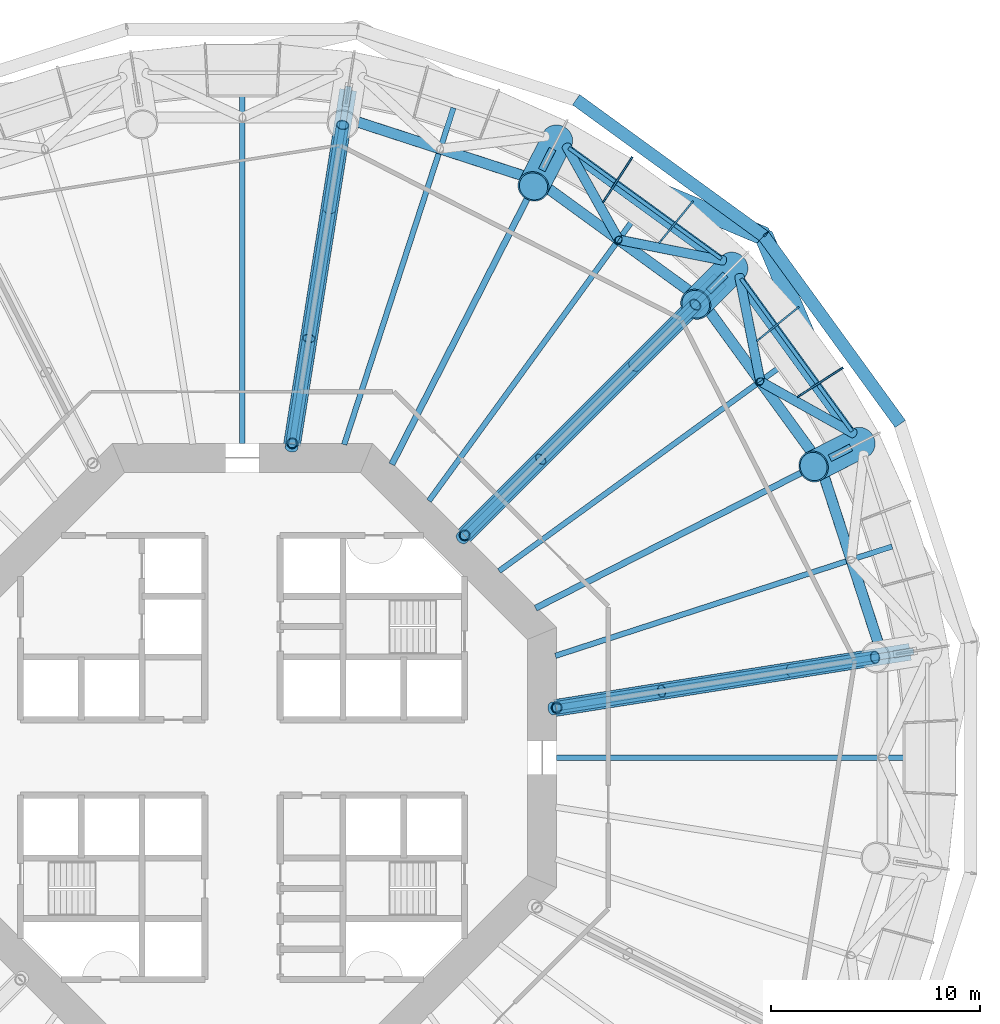
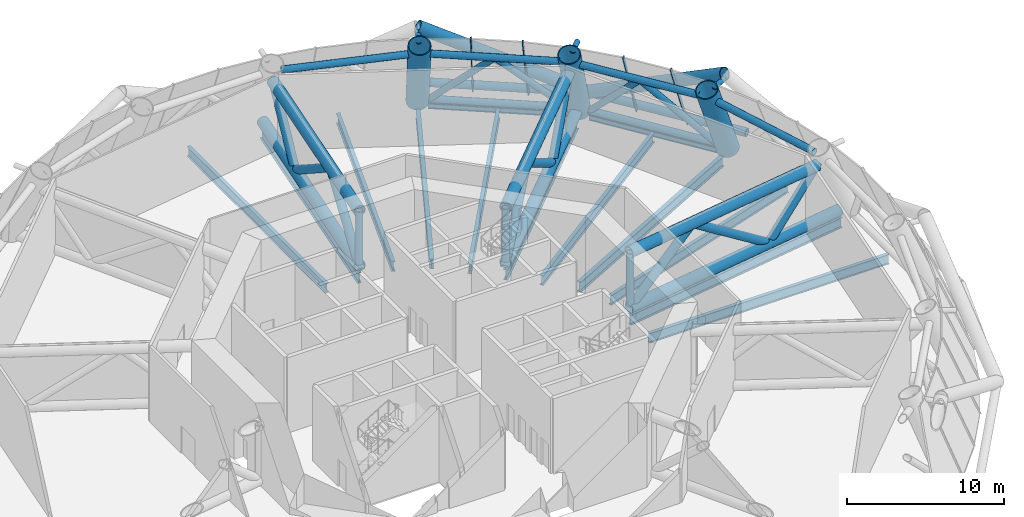
# One storey, part 5 of 14: 42 members, 13 beams, 2 elements without a shape of their own.
"""IFC4 building model written with IfcOpenShell, lengths in metres."""

from ifc_helpers import new_model, si_unit, direction, frame, origin, origin_2d, place, context, subcontext, project, spatial, rectangle, circle, hollow_circle, i_section, extrude, material, layer, layer_set, material_profile, profile_set, type_object, element, aggregate, save


model = new_model("IFC4")

# Units and contexts
model_context = context("Model", 3, precision=1e-05, world=origin(), true_north=direction((0.0, 1.0)))
body_context = subcontext(model_context, "Body", "Model", "MODEL_VIEW")
ifc_project = project(units=[si_unit("LENGTHUNIT", "METRE"), si_unit("AREAUNIT", "SQUARE_METRE"), si_unit("VOLUMEUNIT", "CUBIC_METRE"), si_unit("PLANEANGLEUNIT", "RADIAN"), si_unit("MASSUNIT", "GRAM", prefix="KILO")], contexts=[model_context])

# Site, building, storey
site_placement = place(None, origin())
site = spatial("IfcSite", under=ifc_project, at=site_placement, CompositionType="ELEMENT")
building_placement = place(site_placement, origin())
building = spatial("IfcBuilding", under=site, at=building_placement, Name="Entoto Ring Tower", CompositionType="ELEMENT")
storey_placement = place(building_placement, frame((0.0, 0.0, 74.0)))
storey = spatial("IfcBuildingStorey", under=building, at=storey_placement, Name="L16", CompositionType="ELEMENT", Elevation=74.0)

# Members
ifc_material_1 = material(Name="Steel S355", Category="steel")
ifc_material_profile_1 = material_profile(ifc_material_1, hollow_circle(Radius=0.449951171875, WallThickness=0.044921875, at=origin_2d()), Name="CHS 900 x 45")
ifc_material_2 = material(Name="Concrete C60/75", Category="concrete")
ifc_material_profile_2 = material_profile(ifc_material_2, circle(Radius=0.405029296875, at=origin_2d()), Name="Concrete C60/75 infill")
ifc_profile_set_1 = profile_set([ifc_material_profile_1, ifc_material_profile_2], Name="Steel S355")
member_type_1 = type_object("IfcMemberType", Name="Diagrid diagonal 900 x 45 concrete-filled tube", PredefinedType="BRACE", material=ifc_profile_set_1)
for number, where, z_axis, x_axis, name in (
    (1, (114.89013671875, 104.89013671875, 0.0), (0.34111981915, -0.807008954016, 0.482051674742), (0.92109296129, 0.389342723909, 0.0), "DG2 module 5 03"),
    (2, (114.89013671875, 104.89013671875, 0.0), (-0.807008954016, 0.34111981915, 0.482051674742), (-0.389342723909, -0.92109296129, 0.0), "DG2 module 5 04"),
):
    element("IfcMember", number, at=place(storey_placement, frame(where, z_axis=z_axis, x_axis=x_axis)), inside=storey, type_object=member_type_1, Name=name, PredefinedType="BRACE", context=body_context, shape_type="SweptSolid", body=[
        extrude(hollow_circle(Radius=0.449951171875, WallThickness=0.044921875, at=origin_2d()), origin(), (0.0, 0.0, 1.0), 12.44677734375),
    ])
ifc_material_3 = material(Name="Steel S355", Category="steel")
ifc_material_profile_3 = material_profile(ifc_material_3, hollow_circle(Radius=0.177734375, WallThickness=0.01611328125, at=origin_2d()), Name="CHS 355.6 x 16")
ifc_material_4 = material(Name="Concrete C60/75", Category="concrete")
ifc_material_profile_4 = material_profile(ifc_material_4, circle(Radius=0.161865234375, at=origin_2d()), Name="Concrete C60/75 infill")
ifc_profile_set_2 = profile_set([ifc_material_profile_3, ifc_material_profile_4], Name="Steel S355")
member_type_2 = type_object("IfcMemberType", Name="Diagrid node strut 355.6 x 16", PredefinedType="STRUT", material=ifc_profile_set_2)
for number, where, z_axis, x_axis, name in (
    (3, (118.036865234375, 94.28564453125, 5.672119140625), (0.891085517707, 0.453835432876, 0.0), (-0.453835432876, 0.891085517707, 0.0), "DS1 strut ring 5 01"),
    (4, (112.250244140625, 102.250244140625, 5.672119140625), (0.707106781187, 0.707106781187, 0.0), (-0.707106781187, 0.707106781187, 0.0), "DS1 strut ring 5 02"),
    (5, (104.28564453125, 108.036865234375, 5.672119140625), (0.453835432876, 0.891085517707, 0.0), (-0.891085517707, 0.453835432876, 0.0), "DS1 strut ring 5 03"),
):
    element("IfcMember", number, at=place(storey_placement, frame(where, z_axis=z_axis, x_axis=x_axis)), inside=storey, type_object=member_type_2, Name=name, PredefinedType="STRUT", context=body_context, shape_type="SweptSolid", body=[
        extrude(hollow_circle(Radius=0.177734375, WallThickness=0.01611328125, at=origin_2d()), origin(), (0.0, 0.0, 1.0), 1.133544921875),
    ])
ifc_material_5 = material(Name="Steel S355", Category="steel")
ifc_material_profile_5 = material_profile(ifc_material_5, hollow_circle(Radius=0.300048828125, WallThickness=0.030029296875, at=origin_2d()), Name="CHS 600 x 30")
ifc_material_6 = material(Name="Concrete C60/75", Category="concrete")
ifc_material_profile_6 = material_profile(ifc_material_6, circle(Radius=0.27001953125, at=origin_2d()), Name="Concrete C60/75 infill")
ifc_profile_set_3 = profile_set([ifc_material_profile_5, ifc_material_profile_6], Name="Steel S355")
member_type_3 = type_object("IfcMemberType", Name="Diagrid ring beam 600 x 30", PredefinedType="CHORD", material=ifc_profile_set_3)
for number, where, z_axis, x_axis, name in (
    (6, (121.403076171875, 95.92578125, 0.0), (-0.587771863556, 0.809026721692, 0.0), (-0.809026721692, -0.587771863556, 0.0), "DR1 ring 4 02"),
    (7, (114.94482421875, 104.8505859375, 0.0), (-0.809026721692, 0.587771863556, 0.0), (-0.587771863556, -0.809026721692, 0.0), "DR1 ring 4 03"),
):
    element("IfcMember", number, at=place(storey_placement, frame(where, z_axis=z_axis, x_axis=x_axis)), inside=storey, type_object=member_type_3, Name=name, PredefinedType="CHORD", context=body_context, shape_type="SweptSolid", body=[
        extrude(hollow_circle(Radius=0.300048828125, WallThickness=0.030029296875, at=origin_2d()), origin(), (0.0, 0.0, 1.0), 11.14794921875),
    ])

# Beams
ifc_material_7 = material(Name="Steel S355", Category="steel")
ifc_material_profile_7 = material_profile(ifc_material_7, i_section(OverallWidth=0.179931640625, OverallDepth=0.39990234375, WebThickness=0.008544921875, FlangeThickness=0.013427734375, FilletRadius=0.02099609375, at=origin_2d()), Name="IPE 400")
ifc_profile_set_4 = profile_set([ifc_material_profile_7], Name="Steel S355")
beam_type_1 = type_object("IfcBeamType", Name="Edge beam IPE 400", PredefinedType="SPANDREL", material=ifc_profile_set_4)
for number, where, z_axis, x_axis, name in (
    (8, (119.09619140625, 95.572509765625, -0.35009765625), (-0.587792917156, 0.80901142547, 0.0), (-0.80901142547, -0.587792917156, 0.0), "Edge beam L16 02"),
    (9, (112.85986328125, 103.801513671875, -0.35009765625), (-0.80901142547, 0.587792917156, 0.0), (-0.587792917156, -0.80901142547, 0.0), "Edge beam L16 03"),
):
    element("IfcBeam", number, at=place(storey_placement, frame(where, z_axis=z_axis, x_axis=x_axis)), inside=storey, type_object=beam_type_1, Name=name, PredefinedType="SPANDREL", context=body_context, shape_type="SweptSolid", body=[
        extrude(i_section(OverallWidth=0.179931640625, OverallDepth=0.39990234375, WebThickness=0.008544921875, FlangeThickness=0.013427734375, FilletRadius=0.02099609375, at=origin_2d()), origin(), (0.0, 0.0, 1.0), 9.0078125),
    ])

# Curtain wall, members
ifc_material_8 = material(Name="Anodised aluminium", Category="aluminium")
ifc_layer = layer(ifc_material_8, 0.10009765625)
ifc_layer_set = layer_set([ifc_layer], Name="Anodised aluminium")
curtain_wall_type = type_object("IfcCurtainWallType", Name="Louvre curtain wall system CW7", PredefinedType="NOTDEFINED", material=ifc_layer_set)
curtain_wall_1_placement = place(storey_placement, origin())
curtain_wall_1 = element("IfcCurtainWall", 10, at=curtain_wall_1_placement, inside=storey, type_object=curtain_wall_type, Name="CW7 L16-02", PredefinedType="NOTDEFINED")
ifc_material_9 = material(Name="Anodised aluminium", Category="aluminium")
ifc_material_profile_8 = material_profile(ifc_material_9, rectangle(XDim=0.080078125, YDim=0.199951171875, at=origin_2d()), Name="Mullion 80 x 200 mm anodised aluminium")
ifc_profile_set_5 = profile_set([ifc_material_profile_8], Name="Anodised aluminium")
member_type_4 = type_object("IfcMemberType", Name="Mullion 80 x 200 mm anodised aluminium", PredefinedType="MULLION", material=ifc_profile_set_5)
member_1_placement = place(storey_placement, frame((118.59228515625, 98.568115234375, 0.03857421875), z_axis=(-0.322563051143, -0.20951178694, 0.923069818145), x_axis=(0.544706497232, -0.838626753611, 0.0)))
member_1 = element("IfcMember", 11, at=member_1_placement, type_object=member_type_4, Name="MULLION L16-04", PredefinedType="MULLION", context=body_context, shape_type="SweptSolid", body=[
    extrude(rectangle(XDim=0.080078125, YDim=0.199951171875, at=origin_2d()), origin(), (0.0, 0.0, 1.0), 6.254150390625),
])
member_2_placement = place(storey_placement, frame((116.49462890625, 101.455078125, 0.03857421875), z_axis=(-0.298906561936, -0.24206864184, 0.923069683106), x_axis=(0.629350037127, -0.777121953601, 0.0)))
member_2 = element("IfcMember", 12, at=member_2_placement, type_object=member_type_4, Name="MULLION L16-05", PredefinedType="MULLION", context=body_context, shape_type="SweptSolid", body=[
    extrude(rectangle(XDim=0.080078125, YDim=0.199951171875, at=origin_2d()), origin(), (0.0, 0.0, 1.0), 6.254150390625),
])
aggregate(curtain_wall_1, [member_1, member_2])

curtain_wall_2_placement = place(storey_placement, origin())
curtain_wall_2 = element("IfcCurtainWall", 13, at=curtain_wall_2_placement, inside=storey, type_object=curtain_wall_type, Name="CW7 L16-03", PredefinedType="NOTDEFINED")
member_3_placement = place(storey_placement, frame((111.455078125, 106.49462890625, 0.03857421875), z_axis=(-0.24206864184, -0.298906561936, 0.923069683106), x_axis=(0.777121953601, -0.629350037127, 0.0)))
member_3 = element("IfcMember", 14, at=member_3_placement, type_object=member_type_4, Name="MULLION L16-07", PredefinedType="MULLION", context=body_context, shape_type="SweptSolid", body=[
    extrude(rectangle(XDim=0.080078125, YDim=0.199951171875, at=origin_2d()), origin(), (0.0, 0.0, 1.0), 6.254150390625),
])
member_4_placement = place(storey_placement, frame((108.568115234375, 108.59228515625, 0.03857421875), z_axis=(-0.20951178694, -0.322563051143, 0.923069818145), x_axis=(0.838626753611, -0.544706497232, 0.0)))
member_4 = element("IfcMember", 15, at=member_4_placement, type_object=member_type_4, Name="MULLION L16-08", PredefinedType="MULLION", context=body_context, shape_type="SweptSolid", body=[
    extrude(rectangle(XDim=0.080078125, YDim=0.199951171875, at=origin_2d()), origin(), (0.0, 0.0, 1.0), 6.254150390625),
])
aggregate(curtain_wall_2, [member_3, member_4])

# Members
ifc_material_10 = material(Name="Steel S355", Category="steel")
ifc_material_profile_9 = material_profile(ifc_material_10, hollow_circle(Radius=0.406494140625, WallThickness=0.044921875, at=origin_2d()), Name="CHS 813 x 45")
ifc_material_11 = material(Name="Concrete C60/75", Category="concrete")
ifc_material_profile_10 = material_profile(ifc_material_11, circle(Radius=0.361572265625, at=origin_2d()), Name="Concrete C60/75 infill")
ifc_profile_set_6 = profile_set([ifc_material_profile_9, ifc_material_profile_10], Name="Steel S355")
member_type_5 = type_object("IfcMemberType", Name="Outrigger chord 813 x 45", PredefinedType="CHORD", material=ifc_profile_set_6)
member_5_placement = place(storey_placement, frame((104.916748046875, 82.362548828125, 0.406494140625), z_axis=(0.987687660853, 0.156438756703, 0.0), x_axis=(-0.156438756703, 0.987687660853, 0.0)))
element("IfcMember", 16, at=member_5_placement, inside=storey, type_object=member_type_5, Name="OR1A L16 bottom 01", PredefinedType="CHORD", context=body_context, shape_type="SweptSolid", body=[
    extrude(hollow_circle(Radius=0.406494140625, WallThickness=0.044921875, at=origin_2d()), origin(), (0.0, 0.0, 1.0), 17.165283203125),
])
member_6_placement = place(storey_placement, frame((104.916748046875, 82.362548828125, 4.6904296875), z_axis=(0.987688332369, 0.156434516979, 0.0), x_axis=(-0.156434516979, 0.987688332369, 0.0)))
element("IfcMember", 17, at=member_6_placement, inside=storey, type_object=member_type_5, Name="OR1A L16 top 01", PredefinedType="CHORD", context=body_context, shape_type="SweptSolid", body=[
    extrude(hollow_circle(Radius=0.406494140625, WallThickness=0.044921875, at=origin_2d()), origin(), (0.0, 0.0, 1.0), 15.38037109375),
])
member_7_placement = place(storey_placement, frame((100.592529296875, 90.592529296875, 0.406494140625), z_axis=(0.707106781187, 0.707106781187, 0.0), x_axis=(-0.707106781187, 0.707106781187, 0.0)))
element("IfcMember", 18, at=member_7_placement, inside=storey, type_object=member_type_5, Name="OR1A L16 bottom 02", PredefinedType="CHORD", context=body_context, shape_type="SweptSolid", body=[
    extrude(hollow_circle(Radius=0.406494140625, WallThickness=0.044921875, at=origin_2d()), origin(), (0.0, 0.0, 1.0), 17.287841796875),
])
member_8_placement = place(storey_placement, frame((100.592529296875, 90.592529296875, 4.6904296875), z_axis=(0.707106781187, 0.707106781187, 0.0), x_axis=(-0.707106781187, 0.707106781187, 0.0)))
element("IfcMember", 19, at=member_8_placement, inside=storey, type_object=member_type_5, Name="OR1A L16 top 02", PredefinedType="CHORD", context=body_context, shape_type="SweptSolid", body=[
    extrude(hollow_circle(Radius=0.406494140625, WallThickness=0.044921875, at=origin_2d()), origin(), (0.0, 0.0, 1.0), 15.5029296875),
])
member_9_placement = place(storey_placement, frame((92.362548828125, 94.916748046875, 0.406494140625), z_axis=(0.156438756703, 0.987687660853, 0.0), x_axis=(-0.987687660853, 0.156438756703, 0.0)))
element("IfcMember", 20, at=member_9_placement, inside=storey, type_object=member_type_5, Name="OR1A L16 bottom 03", PredefinedType="CHORD", context=body_context, shape_type="SweptSolid", body=[
    extrude(hollow_circle(Radius=0.406494140625, WallThickness=0.044921875, at=origin_2d()), origin(), (0.0, 0.0, 1.0), 17.165283203125),
])
member_10_placement = place(storey_placement, frame((92.362548828125, 94.916748046875, 4.6904296875), z_axis=(0.156434516979, 0.987688332369, 0.0), x_axis=(-0.987688332369, 0.156434516979, 0.0)))
element("IfcMember", 21, at=member_10_placement, inside=storey, type_object=member_type_5, Name="OR1A L16 top 03", PredefinedType="CHORD", context=body_context, shape_type="SweptSolid", body=[
    extrude(hollow_circle(Radius=0.406494140625, WallThickness=0.044921875, at=origin_2d()), origin(), (0.0, 0.0, 1.0), 15.38037109375),
])
ifc_material_12 = material(Name="Steel S355", Category="steel")
ifc_material_profile_11 = material_profile(ifc_material_12, hollow_circle(Radius=0.304931640625, WallThickness=0.035888671875, at=origin_2d()), Name="CHS 610 x 36")
ifc_material_13 = material(Name="Concrete C60/75", Category="concrete")
ifc_material_profile_12 = material_profile(ifc_material_13, circle(Radius=0.26904296875, at=origin_2d()), Name="Concrete C60/75 infill")
ifc_profile_set_7 = profile_set([ifc_material_profile_11, ifc_material_profile_12], Name="Steel S355")
member_type_6 = type_object("IfcMemberType", Name="Outrigger diagonal 610 x 36", PredefinedType="BRACE", material=ifc_profile_set_7)
member_11_placement = place(storey_placement, frame((104.78466796875, 82.341552734375, 0.222412109375), z_axis=(0.754411774533, 0.119487031561, 0.645434523198), x_axis=(-0.156434394639, 0.987688351746, 0.0)))
element("IfcMember", 22, at=member_11_placement, inside=storey, type_object=member_type_6, Name="OR2A L16 01 1", PredefinedType="BRACE", context=body_context, shape_type="SweptSolid", body=[
    extrude(hollow_circle(Radius=0.304931640625, WallThickness=0.035888671875, at=origin_2d()), origin(), (0.0, 0.0, 1.0), 6.922607421875),
])
member_12_placement = place(storey_placement, frame((110.007080078125, 83.168701171875, 4.6904296875), z_axis=(0.815085809965, 0.129099241185, -0.564772970599), x_axis=(-0.15643722095, 0.987687904098, 0.0)))
element("IfcMember", 23, at=member_12_placement, inside=storey, type_object=member_type_6, Name="OR2A L16 01 2", PredefinedType="BRACE", context=body_context, shape_type="SweptSolid", body=[
    extrude(hollow_circle(Radius=0.304931640625, WallThickness=0.035888671875, at=origin_2d()), origin(), (0.0, 0.0, 1.0), 7.585205078125),
])
member_13_placement = place(storey_placement, frame((116.189697265625, 84.14794921875, 0.406494140625), z_axis=(0.662980056613, 0.105036143269, 0.741231983349), x_axis=(-0.156478671543, 0.987681337959, 0.0)))
element("IfcMember", 24, at=member_13_placement, inside=storey, type_object=member_type_6, Name="OR2A L16 01 3", PredefinedType="BRACE", context=body_context, shape_type="SweptSolid", body=[
    extrude(hollow_circle(Radius=0.304931640625, WallThickness=0.035888671875, at=origin_2d()), origin(), (0.0, 0.0, 1.0), 6.043212890625),
])
member_14_placement = place(storey_placement, frame((100.45751953125, 90.45751953125, 0.23046875), z_axis=(0.542827362874, 0.542827362874, 0.640840782278), x_axis=(-0.707106781187, 0.707106781187, 0.0)))
element("IfcMember", 25, at=member_14_placement, inside=storey, type_object=member_type_6, Name="OR2A L16 02 1", PredefinedType="BRACE", context=body_context, shape_type="SweptSolid", body=[
    extrude(hollow_circle(Radius=0.304931640625, WallThickness=0.035888671875, at=origin_2d()), origin(), (0.0, 0.0, 1.0), 6.95947265625),
])
member_15_placement = place(storey_placement, frame((104.2353515625, 94.2353515625, 4.6904296875), z_axis=(0.585366728499, 0.585366728499, -0.560973783997), x_axis=(-0.707106781187, 0.707106781187, 0.0)))
element("IfcMember", 26, at=member_15_placement, inside=storey, type_object=member_type_6, Name="OR2A L16 02 2", PredefinedType="BRACE", context=body_context, shape_type="SweptSolid", body=[
    extrude(hollow_circle(Radius=0.304931640625, WallThickness=0.035888671875, at=origin_2d()), origin(), (0.0, 0.0, 1.0), 7.63671875),
])
member_16_placement = place(storey_placement, frame((108.70556640625, 98.70556640625, 0.406494140625), z_axis=(0.478793343144, 0.478793343144, 0.735876259382), x_axis=(-0.707106781187, 0.707106781187, 0.0)))
element("IfcMember", 27, at=member_16_placement, inside=storey, type_object=member_type_6, Name="OR2A L16 02 3", PredefinedType="BRACE", context=body_context, shape_type="SweptSolid", body=[
    extrude(hollow_circle(Radius=0.304931640625, WallThickness=0.035888671875, at=origin_2d()), origin(), (0.0, 0.0, 1.0), 6.08056640625),
])
member_17_placement = place(storey_placement, frame((92.341552734375, 94.78466796875, 0.222412109375), z_axis=(0.119487031561, 0.754411774533, 0.645434523198), x_axis=(-0.987688351746, 0.156434394639, 0.0)))
element("IfcMember", 28, at=member_17_placement, inside=storey, type_object=member_type_6, Name="OR2A L16 03 1", PredefinedType="BRACE", context=body_context, shape_type="SweptSolid", body=[
    extrude(hollow_circle(Radius=0.304931640625, WallThickness=0.035888671875, at=origin_2d()), origin(), (0.0, 0.0, 1.0), 6.922607421875),
])
member_18_placement = place(storey_placement, frame((93.168701171875, 100.007080078125, 4.6904296875), z_axis=(0.129099241185, 0.815085809965, -0.564772970599), x_axis=(-0.987687904098, 0.15643722095, 0.0)))
element("IfcMember", 29, at=member_18_placement, inside=storey, type_object=member_type_6, Name="OR2A L16 03 2", PredefinedType="BRACE", context=body_context, shape_type="SweptSolid", body=[
    extrude(hollow_circle(Radius=0.304931640625, WallThickness=0.035888671875, at=origin_2d()), origin(), (0.0, 0.0, 1.0), 7.585205078125),
])
member_19_placement = place(storey_placement, frame((94.14794921875, 106.189697265625, 0.406494140625), z_axis=(0.105036143269, 0.662980056613, 0.741231983349), x_axis=(-0.987681337959, 0.156478671543, 0.0)))
element("IfcMember", 30, at=member_19_placement, inside=storey, type_object=member_type_6, Name="OR2A L16 03 3", PredefinedType="BRACE", context=body_context, shape_type="SweptSolid", body=[
    extrude(hollow_circle(Radius=0.304931640625, WallThickness=0.035888671875, at=origin_2d()), origin(), (0.0, 0.0, 1.0), 6.043212890625),
])
ifc_material_14 = material(Name="Steel S355", Category="steel")
ifc_material_profile_13 = material_profile(ifc_material_14, hollow_circle(Radius=0.25390625, WallThickness=0.030029296875, at=origin_2d()), Name="CHS 508 x 30")
ifc_material_15 = material(Name="Concrete C60/75", Category="concrete")
ifc_material_profile_14 = material_profile(ifc_material_15, circle(Radius=0.22412109375, at=origin_2d()), Name="Concrete C60/75 infill")
ifc_profile_set_8 = profile_set([ifc_material_profile_13, ifc_material_profile_14], Name="Steel S355")
member_type_7 = type_object("IfcMemberType", Name="Outrigger post 508 x 30", PredefinedType="POST", material=ifc_profile_set_8)
for number, where, z_axis, x_axis, name in (
    (31, (105.0, 82.375732421875, 0.406494140625), (0.0, 0.0, 1.0), (1.0, 0.0, 0.0), "OR3 L16 01"),
    (32, (100.606689453125, 90.606689453125, 0.406494140625), (0.0, 0.0, 1.0), (1.0, 0.0, 0.0), "OR3 L16 02"),
    (33, (92.375732421875, 95.0, 0.406494140625), (0.0, 0.0, 1.0), (1.0, 0.0, 0.0), "OR3 L16 03"),
):
    element("IfcMember", number, at=place(storey_placement, frame(where, z_axis=z_axis, x_axis=x_axis)), inside=storey, type_object=member_type_7, Name=name, PredefinedType="POST", context=body_context, shape_type="SweptSolid", body=[
        extrude(hollow_circle(Radius=0.25390625, WallThickness=0.030029296875, at=origin_2d()), origin(), (0.0, 0.0, 1.0), 4.283935546875),
    ])

# Beams
ifc_material_16 = material(Name="Steel S355", Category="steel")
ifc_material_profile_15 = material_profile(ifc_material_16, i_section(OverallWidth=0.300048828125, OverallDepth=0.800048828125, WebThickness=0.017578125, FlangeThickness=0.032958984375, FilletRadius=0.030029296875, at=origin_2d()), Name="HE 800 B")
ifc_profile_set_9 = profile_set([ifc_material_profile_15], Name="Steel S355")
beam_type_2 = type_object("IfcBeamType", Name="Primary floor beam HE 800 B", PredefinedType="BEAM", material=ifc_profile_set_9)
beam_1_placement = place(storey_placement, frame((104.956787109375, 82.368896484375, -0.550048828125), z_axis=(0.98768775999, 0.156438130794, 0.0), x_axis=(-0.156438130794, 0.98768775999, 0.0)))
element("IfcBeam", 34, at=beam_1_placement, inside=storey, type_object=beam_type_2, Name="Primary L16 R01", PredefinedType="BEAM", context=body_context, shape_type="SweptSolid", body=[
    extrude(i_section(OverallWidth=0.300048828125, OverallDepth=0.800048828125, WebThickness=0.017578125, FlangeThickness=0.032958984375, FilletRadius=0.030029296875, at=origin_2d()), origin(), (0.0, 0.0, 1.0), 17.293212890625),
])
beam_2_placement = place(storey_placement, frame((103.99169921875, 87.129150390625, -0.550048828125), z_axis=(0.891007761657, 0.453988071063, 0.0), x_axis=(-0.453988071063, 0.891007761657, 0.0)))
element("IfcBeam", 35, at=beam_2_placement, inside=storey, type_object=beam_type_2, Name="Primary L16 R02", PredefinedType="BEAM", context=body_context, shape_type="SweptSolid", body=[
    extrude(i_section(OverallWidth=0.300048828125, OverallDepth=0.800048828125, WebThickness=0.017578125, FlangeThickness=0.032958984375, FilletRadius=0.030029296875, at=origin_2d()), origin(), (0.0, 0.0, 1.0), 16.733154296875),
])
beam_3_placement = place(storey_placement, frame((100.592529296875, 90.592529296875, -0.550048828125), z_axis=(0.707106781187, 0.707106781187, 0.0), x_axis=(-0.707106781187, 0.707106781187, 0.0)))
element("IfcBeam", 36, at=beam_3_placement, inside=storey, type_object=beam_type_2, Name="Primary L16 R03", PredefinedType="BEAM", context=body_context, shape_type="SweptSolid", body=[
    extrude(i_section(OverallWidth=0.300048828125, OverallDepth=0.800048828125, WebThickness=0.017578125, FlangeThickness=0.032958984375, FilletRadius=0.030029296875, at=origin_2d()), origin(), (0.0, 0.0, 1.0), 17.456298828125),
])
beam_4_placement = place(storey_placement, frame((97.129150390625, 93.99169921875, -0.550048828125), z_axis=(0.453988071063, 0.891007761657, 0.0), x_axis=(-0.891007761657, 0.453988071063, 0.0)))
element("IfcBeam", 37, at=beam_4_placement, inside=storey, type_object=beam_type_2, Name="Primary L16 R04", PredefinedType="BEAM", context=body_context, shape_type="SweptSolid", body=[
    extrude(i_section(OverallWidth=0.300048828125, OverallDepth=0.800048828125, WebThickness=0.017578125, FlangeThickness=0.032958984375, FilletRadius=0.030029296875, at=origin_2d()), origin(), (0.0, 0.0, 1.0), 16.733154296875),
])
beam_5_placement = place(storey_placement, frame((92.368896484375, 94.956787109375, -0.550048828125), z_axis=(0.156438130794, 0.98768775999, 0.0), x_axis=(-0.98768775999, 0.156438130794, 0.0)))
element("IfcBeam", 38, at=beam_5_placement, inside=storey, type_object=beam_type_2, Name="Primary L16 R05", PredefinedType="BEAM", context=body_context, shape_type="SweptSolid", body=[
    extrude(i_section(OverallWidth=0.300048828125, OverallDepth=0.800048828125, WebThickness=0.017578125, FlangeThickness=0.032958984375, FilletRadius=0.030029296875, at=origin_2d()), origin(), (0.0, 0.0, 1.0), 17.293212890625),
])

# Members
ifc_material_17 = material(Name="Steel S355", Category="steel")
ifc_material_profile_16 = material_profile(ifc_material_17, hollow_circle(Radius=0.75, WallThickness=0.06494140625, at=origin_2d()), Name="CHS 1500 x 65")
ifc_material_18 = material(Name="Concrete C60/75", Category="concrete")
ifc_material_profile_17 = material_profile(ifc_material_18, circle(Radius=0.68505859375, at=origin_2d()), Name="Concrete C60/75 infill")
ifc_profile_set_10 = profile_set([ifc_material_profile_16, ifc_material_profile_17], Name="Steel S355")
member_type_8 = type_object("IfcMemberType", Name="Ring column jog 1500 x 65 concrete-filled tube", PredefinedType="STRUT", material=ifc_profile_set_10)
for number, where, z_axis, x_axis, name in (
    (39, (119.492431640625, 95.027099609375, 0.0), (-0.342697597672, -0.174616520339, 0.923074984698), (0.453997461601, -0.891002976909, 0.0), "RJ1B R02"),
    (40, (113.4052734375, 103.4052734375, 0.0), (-0.271971397377, -0.271971397377, 0.923072650455), (0.707106781187, -0.707106781187, 0.0), "RJ1B R03"),
    (41, (105.027099609375, 109.492431640625, 0.0), (-0.174616520339, -0.342697597672, 0.923074984698), (0.891002976909, -0.453997461601, 0.0), "RJ1B R04"),
):
    element("IfcMember", number, at=place(storey_placement, frame(where, z_axis=z_axis, x_axis=x_axis)), inside=storey, type_object=member_type_8, Name=name, PredefinedType="STRUT", context=body_context, shape_type="SweptSolid", body=[
        extrude(hollow_circle(Radius=0.75, WallThickness=0.06494140625, at=origin_2d()), origin(), (0.0, 0.0, 1.0), 6.5),
    ])
ifc_material_19 = material(Name="Steel S355", Category="steel")
ifc_material_profile_18 = material_profile(ifc_material_19, hollow_circle(Radius=0.25390625, WallThickness=0.030029296875, at=origin_2d()), Name="CHS 508 x 30")
ifc_material_20 = material(Name="Concrete C60/75", Category="concrete")
ifc_material_profile_19 = material_profile(ifc_material_20, circle(Radius=0.22412109375, at=origin_2d()), Name="Concrete C60/75 infill")
ifc_profile_set_11 = profile_set([ifc_material_profile_18, ifc_material_profile_19], Name="Steel S355")
member_type_9 = type_object("IfcMemberType", Name="Ring truss chord 508 x 30", PredefinedType="CHORD", material=ifc_profile_set_11)
member_20_placement = place(storey_placement, frame((120.341552734375, 85.493408203125, 5.196044921875), z_axis=(-0.309002963044, 0.951061075236, 0.0), x_axis=(-0.951061075236, -0.309002963044, 0.0)))
element("IfcMember", 42, at=member_20_placement, inside=storey, type_object=member_type_9, Name="BT1 L16 top 01", PredefinedType="CHORD", context=body_context, shape_type="SweptSolid", body=[
    extrude(hollow_circle(Radius=0.25390625, WallThickness=0.030029296875, at=origin_2d()), origin(), (0.0, 0.0, 1.0), 8.302978515625),
])
member_21_placement = place(storey_placement, frame((118.993896484375, 95.535400390625, 0.25390625), z_axis=(-0.58778550311, 0.809016812145, 0.0), x_axis=(-0.809016812145, -0.58778550311, 0.0)))
element("IfcMember", 43, at=member_21_placement, inside=storey, type_object=member_type_9, Name="BT1 L16 bottom 02", PredefinedType="CHORD", context=body_context, shape_type="SweptSolid", body=[
    extrude(hollow_circle(Radius=0.25390625, WallThickness=0.030029296875, at=origin_2d()), origin(), (0.0, 0.0, 1.0), 8.947509765625),
])
member_22_placement = place(storey_placement, frame((117.1591796875, 94.6005859375, 5.196044921875), z_axis=(-0.587788761329, 0.809014444899, 0.0), x_axis=(-0.809014444899, -0.587788761329, 0.0)))
element("IfcMember", 44, at=member_22_placement, inside=storey, type_object=member_type_9, Name="BT1 L16 top 02", PredefinedType="CHORD", context=body_context, shape_type="SweptSolid", body=[
    extrude(hollow_circle(Radius=0.25390625, WallThickness=0.030029296875, at=origin_2d()), origin(), (0.0, 0.0, 1.0), 8.303466796875),
])
member_23_placement = place(storey_placement, frame((112.774169921875, 103.734619140625, 0.25390625), z_axis=(-0.809016812145, 0.58778550311, 0.0), x_axis=(-0.58778550311, -0.809016812145, 0.0)))
element("IfcMember", 45, at=member_23_placement, inside=storey, type_object=member_type_9, Name="BT1 L16 bottom 03", PredefinedType="CHORD", context=body_context, shape_type="SweptSolid", body=[
    extrude(hollow_circle(Radius=0.25390625, WallThickness=0.030029296875, at=origin_2d()), origin(), (0.0, 0.0, 1.0), 8.947509765625),
])
member_24_placement = place(storey_placement, frame((111.318115234375, 102.278564453125, 5.196044921875), z_axis=(-0.809014444899, 0.587788761329, 0.0), x_axis=(-0.587788761329, -0.809014444899, 0.0)))
element("IfcMember", 46, at=member_24_placement, inside=storey, type_object=member_type_9, Name="BT1 L16 top 03", PredefinedType="CHORD", context=body_context, shape_type="SweptSolid", body=[
    extrude(hollow_circle(Radius=0.25390625, WallThickness=0.030029296875, at=origin_2d()), origin(), (0.0, 0.0, 1.0), 8.303466796875),
])
member_25_placement = place(storey_placement, frame((103.39013671875, 107.77587890625, 5.196044921875), z_axis=(-0.951061075236, 0.309002963044, 0.0), x_axis=(-0.309002963044, -0.951061075236, 0.0)))
element("IfcMember", 47, at=member_25_placement, inside=storey, type_object=member_type_9, Name="BT1 L16 top 04", PredefinedType="CHORD", context=body_context, shape_type="SweptSolid", body=[
    extrude(hollow_circle(Radius=0.25390625, WallThickness=0.030029296875, at=origin_2d()), origin(), (0.0, 0.0, 1.0), 8.302978515625),
])
ifc_material_21 = material(Name="Steel S355", Category="steel")
ifc_material_profile_20 = material_profile(ifc_material_21, hollow_circle(Radius=0.228515625, WallThickness=0.02001953125, at=origin_2d()), Name="CHS 457 x 20")
ifc_material_22 = material(Name="Concrete C60/75", Category="concrete")
ifc_material_profile_21 = material_profile(ifc_material_22, circle(Radius=0.20849609375, at=origin_2d()), Name="Concrete C60/75 infill")
ifc_profile_set_12 = profile_set([ifc_material_profile_20, ifc_material_profile_21], Name="Steel S355")
member_type_10 = type_object("IfcMemberType", Name="Ring truss diagonal 457 x 20", PredefinedType="BRACE", material=ifc_profile_set_12)
for number, where, z_axis, x_axis, name in (
    (48, (119.15771484375, 95.473388671875, 0.020263671875), (-0.611631235609, 0.342516183091, 0.713154889171), (-0.488606291418, -0.872504379351, 0.0), "BT2 L16 02 a"),
    (49, (114.71875, 97.959228515625, 5.196044921875), (-0.13674580209, 0.687530308268, -0.713163838696), (-0.980788686524, -0.19507319751, 0.0), "BT2 L16 02 b"),
    (50, (112.948974609375, 103.726318359375, 0.020263671875), (-0.687530308268, 0.13674580209, 0.713163838696), (-0.19507319751, -0.980788686524, 0.0), "BT2 L16 03 a"),
    (51, (107.959228515625, 104.71875, 5.196044921875), (-0.342516183091, 0.611631235609, -0.713154889171), (-0.872504379351, -0.488606291418, 0.0), "BT2 L16 03 b"),
):
    element("IfcMember", number, at=place(storey_placement, frame(where, z_axis=z_axis, x_axis=x_axis)), inside=storey, type_object=member_type_10, Name=name, PredefinedType="BRACE", context=body_context, shape_type="SweptSolid", body=[
        extrude(hollow_circle(Radius=0.228515625, WallThickness=0.02001953125, at=origin_2d()), origin(), (0.0, 0.0, 1.0), 7.257568359375),
    ])

# Beams
ifc_material_23 = material(Name="Steel S355", Category="steel")
ifc_material_profile_22 = material_profile(ifc_material_23, i_section(OverallWidth=0.262939453125, OverallDepth=0.7529296875, WebThickness=0.011474609375, FlangeThickness=0.01708984375, FilletRadius=0.01708984375, at=origin_2d()), Name="IPE 750 x 137")
ifc_profile_set_13 = profile_set([ifc_material_profile_22], Name="Steel S355")
beam_type_3 = type_object("IfcBeamType", Name="Secondary floor beam IPE 750 x 137", PredefinedType="JOIST", material=ifc_profile_set_13)
beam_6_placement = place(storey_placement, frame((104.9404296875, 84.8544921875, -0.526611328125), z_axis=(0.951057855768, 0.30901287187, 0.0), x_axis=(-0.30901287187, 0.951057855768, 0.0)))
element("IfcBeam", 52, at=beam_6_placement, inside=storey, type_object=beam_type_3, Name="Secondary beam L16 01", PredefinedType="JOIST", context=body_context, shape_type="SweptSolid", body=[
    extrude(i_section(OverallWidth=0.262939453125, OverallDepth=0.7529296875, WebThickness=0.011474609375, FlangeThickness=0.01708984375, FilletRadius=0.01708984375, at=origin_2d()), origin(), (0.0, 0.0, 1.0), 16.893310546875),
])
for number, where, z_axis, x_axis, name in (
    (53, (102.25341796875, 88.902587890625, -0.526611328125), (0.809014194973, 0.58778910532, 0.0), (-0.58778910532, 0.809014194973, 0.0), "Secondary beam L16 02"),
    (54, (98.902587890625, 92.25341796875, -0.526611328125), (0.58778910532, 0.809014194973, 0.0), (-0.809014194973, 0.58778910532, 0.0), "Secondary beam L16 03"),
):
    element("IfcBeam", number, at=place(storey_placement, frame(where, z_axis=z_axis, x_axis=x_axis)), inside=storey, type_object=beam_type_3, Name=name, PredefinedType="JOIST", context=body_context, shape_type="SweptSolid", body=[
        extrude(i_section(OverallWidth=0.262939453125, OverallDepth=0.7529296875, WebThickness=0.011474609375, FlangeThickness=0.01708984375, FilletRadius=0.01708984375, at=origin_2d()), origin(), (0.0, 0.0, 1.0), 17.45654296875),
    ])
beam_7_placement = place(storey_placement, frame((94.8544921875, 94.9404296875, -0.526611328125), z_axis=(0.30901287187, 0.951057855768, 0.0), x_axis=(-0.951057855768, 0.30901287187, 0.0)))
element("IfcBeam", 55, at=beam_7_placement, inside=storey, type_object=beam_type_3, Name="Secondary beam L16 04", PredefinedType="JOIST", context=body_context, shape_type="SweptSolid", body=[
    extrude(i_section(OverallWidth=0.262939453125, OverallDepth=0.7529296875, WebThickness=0.011474609375, FlangeThickness=0.01708984375, FilletRadius=0.01708984375, at=origin_2d()), origin(), (0.0, 0.0, 1.0), 16.893310546875),
])
for number, where, z_axis, x_axis, name in (
    (56, (90.0, 94.97998046875, -0.526611328125), (0.0, 1.0, 0.0), (-1.0, 0.0, 0.0), "Secondary beam L16 05"),
    (57, (104.97998046875, 80.0, -0.526611328125), (1.0, 0.0, 0.0), (0.0, 1.0, 0.0), "Secondary beam L16 20"),
):
    element("IfcBeam", number, at=place(storey_placement, frame(where, z_axis=z_axis, x_axis=x_axis)), inside=storey, type_object=beam_type_3, Name=name, PredefinedType="JOIST", context=body_context, shape_type="SweptSolid", body=[
        extrude(i_section(OverallWidth=0.262939453125, OverallDepth=0.7529296875, WebThickness=0.011474609375, FlangeThickness=0.01708984375, FilletRadius=0.01708984375, at=origin_2d()), origin(), (0.0, 0.0, 1.0), 17.62255859375),
    ])

save(model, "model.ifc")
